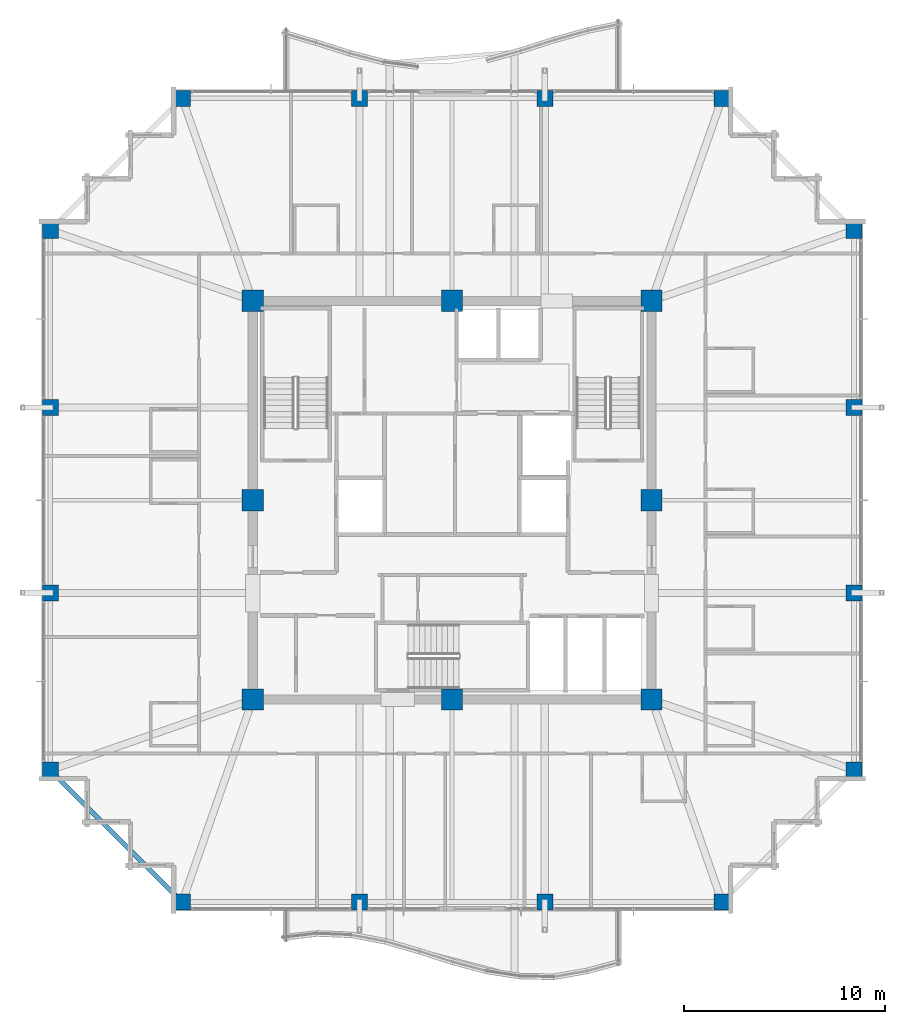
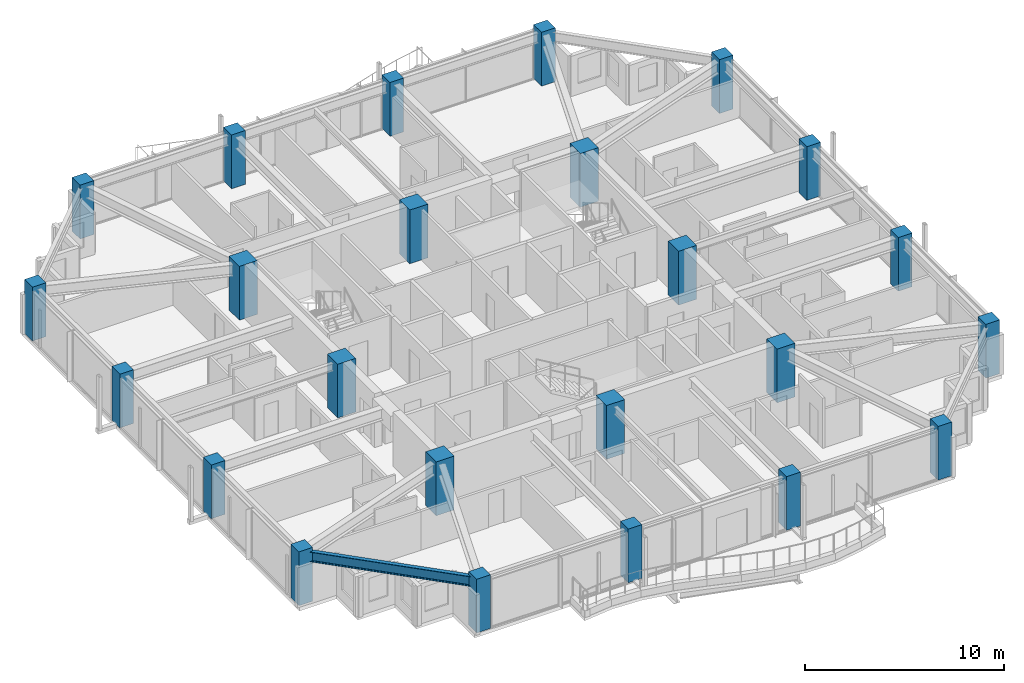
# One storey, part 1 of 38: 24 columns, 1 beam.
"""IFC4 building model written with IfcOpenShell, lengths in metres."""

from ifc_helpers import new_model, si_unit, direction, frame, origin, origin_2d, place, context, subcontext, project, spatial, rectangle, i_section, extrude, material, material_profile, profile_set, type_object, element, save


model = new_model("IFC4")

# Units and contexts
model_context = context("Model", 3, precision=1e-05, world=origin(), true_north=direction((0.0, 1.0)))
body_context = subcontext(model_context, "Body", "Model", "MODEL_VIEW")
ifc_project = project(units=[si_unit("LENGTHUNIT", "METRE"), si_unit("AREAUNIT", "SQUARE_METRE"), si_unit("VOLUMEUNIT", "CUBIC_METRE"), si_unit("PLANEANGLEUNIT", "RADIAN"), si_unit("MASSUNIT", "GRAM", prefix="KILO")], contexts=[model_context])

# Site, building, storey
site_placement = place(None, origin())
site = spatial("IfcSite", under=ifc_project, at=site_placement, CompositionType="ELEMENT")
building_placement = place(site_placement, origin())
building = spatial("IfcBuilding", under=site, at=building_placement, Name="Kolvaren Belvedere", CompositionType="ELEMENT")
storey_placement = place(building_placement, frame((0.0, 0.0, 213.0)))
storey = spatial("IfcBuildingStorey", under=building, at=storey_placement, Name="L62", CompositionType="ELEMENT", Elevation=213.0)

# Columns
ifc_material_1 = material(Name="Concrete C50/60", Category="concrete")
ifc_material_profile_1 = material_profile(ifc_material_1, rectangle(XDim=1.050048828125, YDim=1.050048828125, at=origin_2d()), Name="RC 1050X1050")
ifc_profile_set_1 = profile_set([ifc_material_profile_1], Name="Concrete C50/60")
column_type_1 = type_object("IfcColumnType", Name="COL-RC-1050", PredefinedType="COLUMN", material=ifc_profile_set_1)
for number, where, z_axis, x_axis, name in (
    (1, (-9.89990234375, -9.89990234375, 0.0), (0.0, 0.0, 1.0), (1.0, 0.0, 0.0), "L62 Core Column CC1"),
    (2, (9.89990234375, -9.89990234375, 0.0), (0.0, 0.0, 1.0), (1.0, 0.0, 0.0), "L62 Core Column CC2"),
    (3, (9.89990234375, 9.89990234375, 0.0), (0.0, 0.0, 1.0), (1.0, 0.0, 0.0), "L62 Core Column CC3"),
    (4, (-9.89990234375, 9.89990234375, 0.0), (0.0, 0.0, 1.0), (1.0, 0.0, 0.0), "L62 Core Column CC4"),
    (5, (0.0, -9.89990234375, 0.0), (0.0, 0.0, 1.0), (1.0, 0.0, 0.0), "L62 Core Column CM1"),
    (6, (9.89990234375, 0.0, 0.0), (0.0, 0.0, 1.0), (1.0, 0.0, 0.0), "L62 Core Column CM2"),
    (7, (0.0, 9.89990234375, 0.0), (0.0, 0.0, 1.0), (1.0, 0.0, 0.0), "L62 Core Column CM3"),
    (8, (-9.89990234375, 0.0, 0.0), (0.0, 0.0, 1.0), (1.0, 0.0, 0.0), "L62 Core Column CM4"),
):
    element("IfcColumn", number, at=place(storey_placement, frame(where, z_axis=z_axis, x_axis=x_axis)), inside=storey, type_object=column_type_1, Name=name, PredefinedType="COLUMN", context=body_context, shape_type="SweptSolid", body=[
        extrude(rectangle(XDim=1.050048828125, YDim=1.050048828125, at=origin_2d()), origin(), (0.0, 0.0, 1.0), 3.300048828125),
    ])
ifc_material_2 = material(Name="Concrete C50/60", Category="concrete")
ifc_material_profile_2 = material_profile(ifc_material_2, rectangle(XDim=0.800048828125, YDim=0.800048828125, at=origin_2d()), Name="RC 800X800")
ifc_profile_set_2 = profile_set([ifc_material_profile_2], Name="Concrete C50/60")
column_type_2 = type_object("IfcColumnType", Name="COL-RC-800", PredefinedType="COLUMN", material=ifc_profile_set_2)
for number, where, z_axis, x_axis, name in (
    (9, (-13.39990234375, -19.949951171875, 0.0), (0.0, 0.0, 1.0), (1.0, 0.0, 0.0), "L62 Perimeter Column S1"),
    (10, (-4.60009765625, -19.949951171875, 0.0), (0.0, 0.0, 1.0), (1.0, 0.0, 0.0), "L62 Perimeter Column S2"),
    (11, (4.60009765625, -19.949951171875, 0.0), (0.0, 0.0, 1.0), (1.0, 0.0, 0.0), "L62 Perimeter Column S3"),
    (12, (13.39990234375, -19.949951171875, 0.0), (0.0, 0.0, 1.0), (1.0, 0.0, 0.0), "L62 Perimeter Column S4"),
    (13, (-13.39990234375, 19.949951171875, 0.0), (0.0, 0.0, 1.0), (1.0, 0.0, 0.0), "L62 Perimeter Column N1"),
    (14, (-4.60009765625, 19.949951171875, 0.0), (0.0, 0.0, 1.0), (1.0, 0.0, 0.0), "L62 Perimeter Column N2"),
    (15, (4.60009765625, 19.949951171875, 0.0), (0.0, 0.0, 1.0), (1.0, 0.0, 0.0), "L62 Perimeter Column N3"),
    (16, (13.39990234375, 19.949951171875, 0.0), (0.0, 0.0, 1.0), (1.0, 0.0, 0.0), "L62 Perimeter Column N4"),
    (17, (-19.949951171875, -13.39990234375, 0.0), (0.0, 0.0, 1.0), (1.0, 0.0, 0.0), "L62 Perimeter Column W1"),
    (18, (-19.949951171875, -4.60009765625, 0.0), (0.0, 0.0, 1.0), (1.0, 0.0, 0.0), "L62 Perimeter Column W2"),
    (19, (-19.949951171875, 4.60009765625, 0.0), (0.0, 0.0, 1.0), (1.0, 0.0, 0.0), "L62 Perimeter Column W3"),
    (20, (-19.949951171875, 13.39990234375, 0.0), (0.0, 0.0, 1.0), (1.0, 0.0, 0.0), "L62 Perimeter Column W4"),
    (21, (19.949951171875, -13.39990234375, 0.0), (0.0, 0.0, 1.0), (1.0, 0.0, 0.0), "L62 Perimeter Column E1"),
    (22, (19.949951171875, -4.60009765625, 0.0), (0.0, 0.0, 1.0), (1.0, 0.0, 0.0), "L62 Perimeter Column E2"),
    (23, (19.949951171875, 4.60009765625, 0.0), (0.0, 0.0, 1.0), (1.0, 0.0, 0.0), "L62 Perimeter Column E3"),
    (24, (19.949951171875, 13.39990234375, 0.0), (0.0, 0.0, 1.0), (1.0, 0.0, 0.0), "L62 Perimeter Column E4"),
):
    element("IfcColumn", number, at=place(storey_placement, frame(where, z_axis=z_axis, x_axis=x_axis)), inside=storey, type_object=column_type_2, Name=name, PredefinedType="COLUMN", context=body_context, shape_type="SweptSolid", body=[
        extrude(rectangle(XDim=0.800048828125, YDim=0.800048828125, at=origin_2d()), origin(), (0.0, 0.0, 1.0), 3.300048828125),
    ])

# Beam
ifc_material_3 = material(Name="Structural steel ASTM A992 Grade 50", Category="steel")
ifc_material_profile_3 = material_profile(ifc_material_3, i_section(OverallWidth=0.22900390625, OverallDepth=0.612060546875, WebThickness=0.011962890625, FlangeThickness=0.01953125, FilletRadius=0.01806640625, at=origin_2d()), Name="W24X84")
ifc_profile_set_3 = profile_set([ifc_material_profile_3], Name="Structural steel ASTM A992 Grade 50")
beam_type = type_object("IfcBeamType", Name="BM-SPAN-W24X84", PredefinedType="SPANDREL", material=ifc_profile_set_3)
beam_placement = place(storey_placement, frame((-19.82275390625, -13.52734375, 2.77392578125), z_axis=(0.707106781187, -0.707106781187, 0.0), x_axis=(0.707106781187, 0.707106781187, 0.0)))
element("IfcBeam", 25, at=beam_placement, inside=storey, type_object=beam_type, Name="L62 Perimeter Spandrel W1-S1", PredefinedType="SPANDREL", context=body_context, shape_type="SweptSolid", body=[
    extrude(i_section(OverallWidth=0.22900390625, OverallDepth=0.612060546875, WebThickness=0.011962890625, FlangeThickness=0.01953125, FilletRadius=0.01806640625, at=origin_2d()), origin(), (0.0, 0.0, 1.0), 8.903076171875),
])

save(model, "model.ifc")
